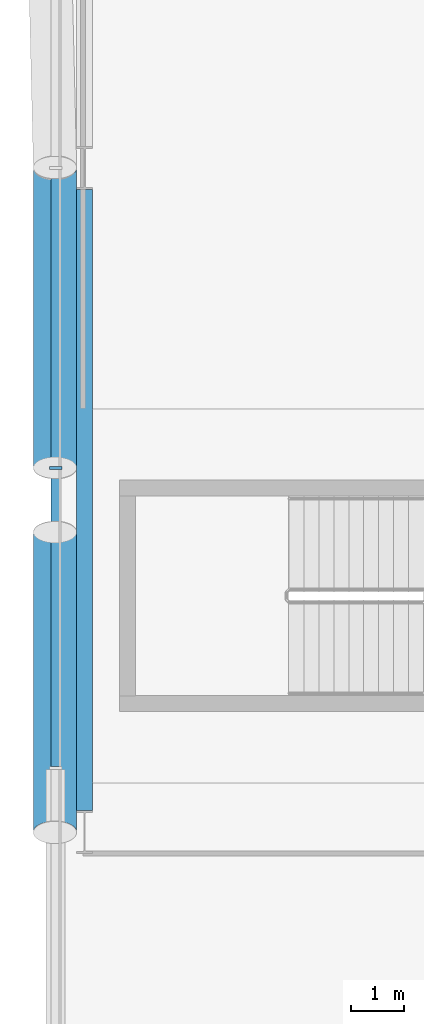
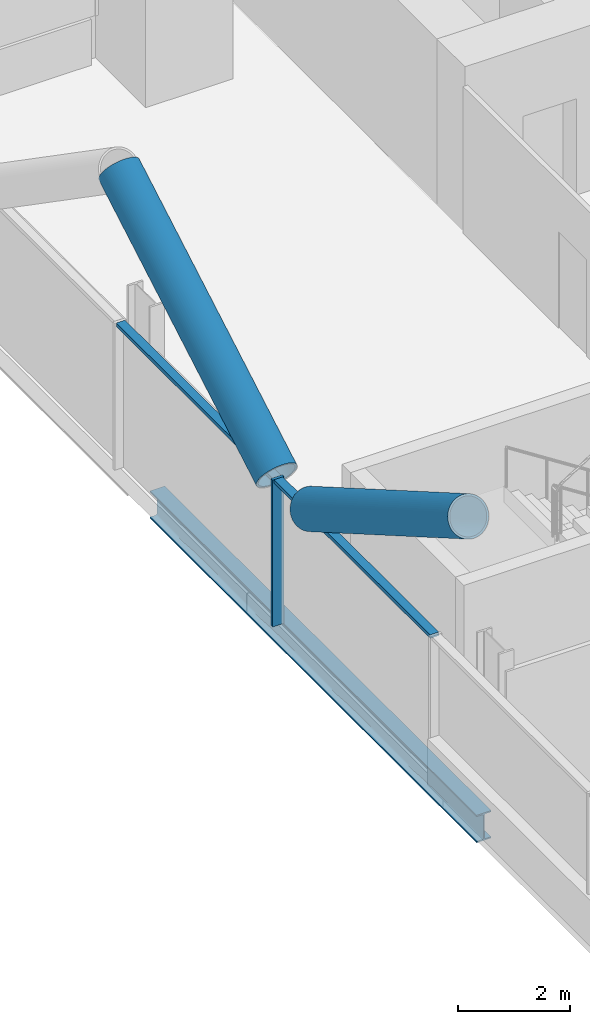
# One storey, part 6 of 28: 5 members, 1 beam, 1 element without a shape of its own.
"""IFC4 building model written with IfcOpenShell, lengths in metres."""

from ifc_helpers import new_model, si_unit, direction, frame, origin, origin_2d, place, context, subcontext, project, spatial, rectangle, hollow_circle, i_section, extrude, material, material_profile, profile_set, type_object, element, aggregate, save


model = new_model("IFC4")

# Units and contexts
model_context = context("Model", 3, precision=1e-05, world=origin(), true_north=direction((0.0, 1.0)))
body_context = subcontext(model_context, "Body", "Model", "MODEL_VIEW")
ifc_project = project(units=[si_unit("LENGTHUNIT", "METRE"), si_unit("AREAUNIT", "SQUARE_METRE"), si_unit("VOLUMEUNIT", "CUBIC_METRE"), si_unit("PLANEANGLEUNIT", "RADIAN"), si_unit("MASSUNIT", "GRAM", prefix="KILO")], contexts=[model_context])

# Site, building, storey
site_placement = place(None, origin())
site = spatial("IfcSite", under=ifc_project, at=site_placement, CompositionType="ELEMENT")
building_placement = place(site_placement, origin())
building = spatial("IfcBuilding", under=site, at=building_placement, Name="Wharfspan Tower", CompositionType="ELEMENT")
storey_placement = place(building_placement, frame((0.0, 0.0, 132.699951)))
storey = spatial("IfcBuildingStorey", under=building, at=storey_placement, Name="L31", CompositionType="ELEMENT", Elevation=132.699951)

# Beam
ifc_material_1 = material(Name="Steel S355J2", Category="steel")
ifc_material_profile_1 = material_profile(ifc_material_1, i_section(OverallWidth=0.300049, OverallDepth=0.600098, WebThickness=0.015381, FlangeThickness=0.030029, FilletRadius=0.0271, at=origin_2d()))
ifc_profile_set_1 = profile_set([ifc_material_profile_1], Name="Steel S355J2")
beam_type = type_object("IfcBeamType", Name="Edge beam HEB 600", PredefinedType="SPANDREL", material=ifc_profile_set_1)
beam_placement = place(storey_placement, frame((7.540039, 30.330322, -0.699951), z_axis=(0.0, -1.0, 0.0), x_axis=(1.0, 0.0, 0.0)))
element("IfcBeam", 1, at=beam_placement, inside=storey, type_object=beam_type, Name="Edge beam W L31 PW.1 to PW.2", PredefinedType="SPANDREL", context=body_context, shape_type="SweptSolid", body=[
    extrude(i_section(OverallWidth=0.300049, OverallDepth=0.600098, WebThickness=0.015381, FlangeThickness=0.030029, FilletRadius=0.0271, at=origin_2d()), origin(), (0.0, 0.0, 1.0), 11.660645),
])

# Curtain wall, member
ifc_material_2 = material(Name="Aluminium 6063-T6", Category="aluminium")
curtain_wall_type = type_object("IfcCurtainWallType", Name="CURTAIN WALL PROW AND END", PredefinedType="NOTDEFINED", material=ifc_material_2)
curtain_wall_placement = place(storey_placement, origin())
curtain_wall = element("IfcCurtainWall", 2, at=curtain_wall_placement, inside=storey, type_object=curtain_wall_type, Name="Curtain wall W", PredefinedType="NOTDEFINED")
ifc_material_profile_2 = material_profile(ifc_material_2, rectangle(XDim=0.23999, YDim=0.060059, at=origin_2d()))
ifc_profile_set_2 = profile_set([ifc_material_profile_2], Name="Aluminium 6063-T6")
member_type_1 = type_object("IfcMemberType", Name="MULLION PROW AND END 60x240", PredefinedType="MULLION", material=ifc_profile_set_2)
member_1_placement = place(storey_placement, frame((7.0, 25.100098, 0.0), z_axis=(0.0, 0.0, 1.0), x_axis=(1.0, 0.0, 0.0)))
member_1 = element("IfcMember", 3, at=member_1_placement, type_object=member_type_1, Name="Curtain wall W mullion 4", PredefinedType="MULLION", context=body_context, shape_type="SweptSolid", body=[
    extrude(rectangle(XDim=0.23999, YDim=0.060059, at=origin_2d()), origin(), (0.0, 0.0, 1.0), 3.199951),
])

# Members
ifc_material_3 = material(Name="Steel S460NH", Category="steel")
ifc_material_profile_3 = material_profile(ifc_material_3, hollow_circle(Radius=0.406494, WallThickness=0.040039, at=origin_2d()))
ifc_profile_set_3 = profile_set([ifc_material_profile_3], Name="Steel S460NH")
member_type_2 = type_object("IfcMemberType", Name="Mega brace CHS 813x40", PredefinedType="BRACE", material=ifc_profile_set_3)
for number, where, z_axis, x_axis, name in (
    (4, (6.985107, 23.894043, 3.25), (0.0, -0.865959, 0.500115), (1.0, 0.0, 0.0), "Mega brace W3 L31 part 2"),
    (5, (6.985107, 25.105957, 3.25), (0.0, 0.865959, 0.500115), (-1.0, 0.0, 0.0), "Mega brace W3 L31 part 4"),
):
    element("IfcMember", number, at=place(storey_placement, frame(where, z_axis=z_axis, x_axis=x_axis)), inside=storey, type_object=member_type_2, Name=name, PredefinedType="BRACE", context=body_context, shape_type="SweptSolid", body=[
        extrude(hollow_circle(Radius=0.406494, WallThickness=0.040039, at=origin_2d()), origin(), (0.0, 0.0, 1.0), 6.498535),
    ])

# Member
ifc_material_profile_4 = material_profile(ifc_material_2, rectangle(XDim=0.179932, YDim=0.080078, at=origin_2d()))
ifc_profile_set_4 = profile_set([ifc_material_profile_4], Name="Aluminium 6063-T6")
member_type_3 = type_object("IfcMemberType", Name="TRANSOM PROW AND END 80x180", PredefinedType="USERDEFINED", material=ifc_profile_set_4)
member_2_placement = place(storey_placement, frame((7.0, 30.703369, 3.160156), z_axis=(0.0, -1.0, 0.0), x_axis=(1.0, 0.0, 0.0)))
member_2 = element("IfcMember", 6, at=member_2_placement, type_object=member_type_3, Name="Curtain wall W transom 3", ObjectType="TRANSOM", PredefinedType="USERDEFINED", context=body_context, shape_type="SweptSolid", body=[
    extrude(rectangle(XDim=0.179932, YDim=0.080078, at=origin_2d()), origin(), (0.0, 0.0, 1.0), 5.573486),
])

member_3_placement = place(storey_placement, frame((7.0, 25.070068, 3.160156), z_axis=(0.0, -1.0, 0.0), x_axis=(1.0, 0.0, 0.0)))
member_3 = element("IfcMember", 7, at=member_3_placement, type_object=member_type_3, Name="Curtain wall W transom 4", ObjectType="TRANSOM", PredefinedType="USERDEFINED", context=body_context, shape_type="SweptSolid", body=[
    extrude(rectangle(XDim=0.179932, YDim=0.080078, at=origin_2d()), origin(), (0.0, 0.0, 1.0), 5.573486),
])

aggregate(curtain_wall, [member_1, member_2, member_3])

save(model, "model.ifc")
